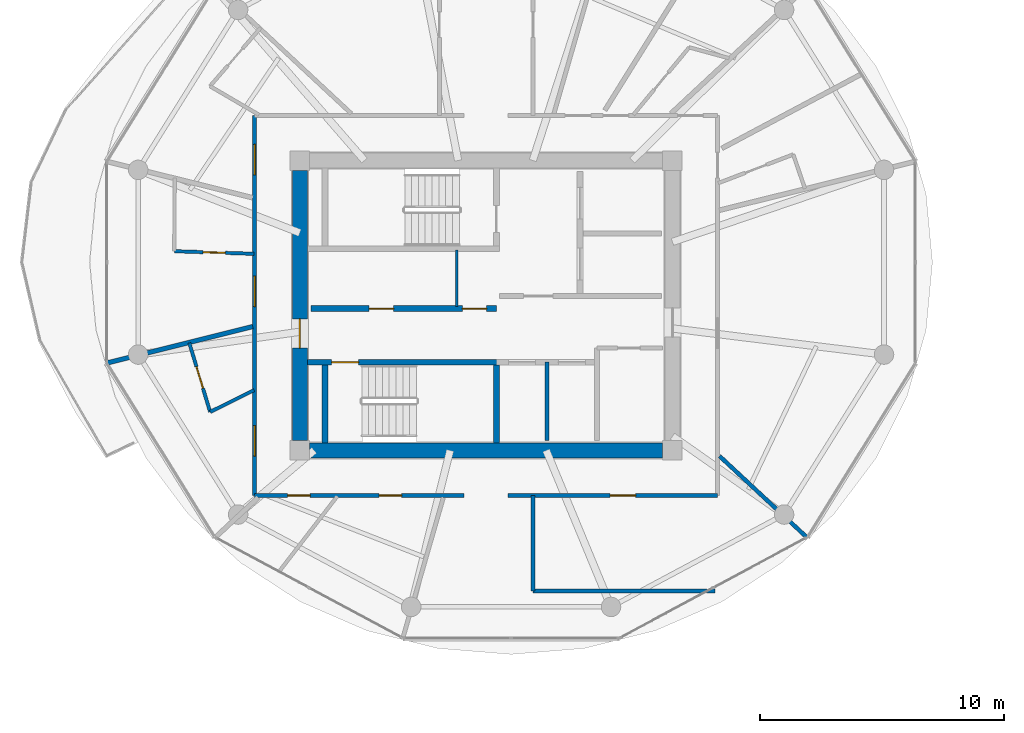
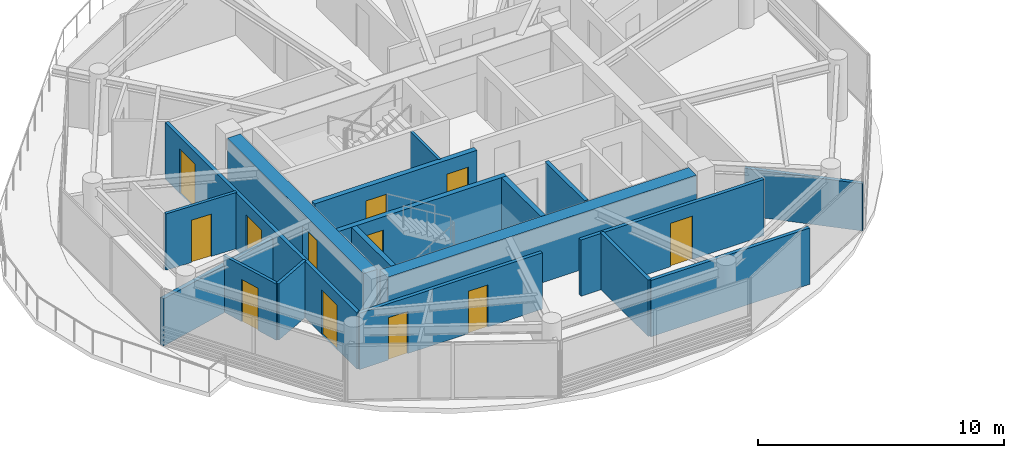
# One storey, part 13 of 24: 18 walls, 12 doors, 12 openings.
"""IFC4 building model written with IfcOpenShell, lengths in metres."""

from ifc_helpers import new_model, si_unit, direction, frame, frame_2d, origin, place, context, subcontext, project, spatial, rectangle, extrude, source, transform, mapped, material, layer, layer_set, type_object, type_shapes, element, fill, save


model = new_model("IFC4")

# Units and contexts
model_context = context("Model", 3, precision=1e-05, world=origin(), true_north=direction((0.0, 1.0)))
body_context = subcontext(model_context, "Body", "Model", "MODEL_VIEW")
ifc_project = project(units=[si_unit("LENGTHUNIT", "METRE"), si_unit("AREAUNIT", "SQUARE_METRE"), si_unit("VOLUMEUNIT", "CUBIC_METRE"), si_unit("PLANEANGLEUNIT", "RADIAN"), si_unit("MASSUNIT", "GRAM", prefix="KILO")], contexts=[model_context])

# Site, building, storey
site_placement = place(None, origin())
site = spatial("IfcSite", under=ifc_project, at=site_placement, CompositionType="ELEMENT")
building_placement = place(site_placement, origin())
building = spatial("IfcBuilding", under=site, at=building_placement, Name="Norrkilde Senior Care Towers", CompositionType="ELEMENT")
storey_placement = place(building_placement, frame((0.0, 0.0, 155.64990234375)))
storey = spatial("IfcBuildingStorey", under=building, at=storey_placement, Name="L48", CompositionType="ELEMENT", Elevation=155.64990234375)

# Wall
ifc_material_1 = material(Name="Concrete C50/60", Category="concrete")
ifc_layer_1 = layer(ifc_material_1, 0.6201171875)
ifc_layer_set_1 = layer_set([ifc_layer_1], Name="Concrete C50/60")
wall_type_1 = type_object("IfcWallType", Name="Core Shear Wall Z3 620", PredefinedType="SHEAR", material=ifc_layer_set_1)
shared_shape_1 = source(origin(), body_context, "Body", "SweptSolid", [
    extrude(rectangle(XDim=14.5, YDim=0.6201171875, at=frame_2d((7.25, 0.0))), origin(), (0.0, 0.0, 1.0), 2.81005859375),
])
wall_1_placement = place(storey_placement, frame((-20.75, -5.949951171875, 0.0), z_axis=(0.0, 0.0, 1.0), x_axis=(-1.0, 0.0, 0.0)))
element("IfcWall", 1, at=wall_1_placement, inside=storey, type_object=wall_type_1, Name="L48 Core W South Shear Wall", PredefinedType="SHEAR", context=body_context, shape_type="MappedRepresentation", body=[
    mapped(shared_shape_1, transform((0.0, 0.0, 0.0), x_axis=(1.0, 0.0, 0.0), y_axis=(0.0, 1.0, 0.0), z_axis=(0.0, 0.0, 1.0), scale=1.0)),
])

# Wall, opening, door
shared_shape_2 = source(origin(), body_context, "Body", "SweptSolid", [
    extrude(rectangle(XDim=11.10009765625, YDim=0.6201171875, at=frame_2d((5.550048828125, 0.0))), origin(), (0.0, 0.0, 1.0), 2.81005859375),
])
type_shapes(wall_type_1, [shared_shape_1, shared_shape_2])
wall_2_placement = place(storey_placement, frame((-35.64990234375, -5.550048828125, 0.0), z_axis=(0.0, 0.0, 1.0), x_axis=(0.0, 1.0, 0.0)))
wall_2 = element("IfcWall", 2, at=wall_2_placement, inside=storey, type_object=wall_type_1, Name="L48 Core W West Shear Wall", PredefinedType="SHEAR", context=body_context, shape_type="MappedRepresentation", body=[
    mapped(shared_shape_2, transform((0.0, 0.0, 0.0), x_axis=(1.0, 0.0, 0.0), y_axis=(0.0, 1.0, 0.0), z_axis=(0.0, 0.0, 1.0), scale=1.0)),
])
opening_1_placement = place(wall_2_placement, frame((3.800048828125, 0.0, 0.0)))
opening_1 = element("IfcOpeningElement", 3, at=opening_1_placement, cuts=wall_2, Name="Opening D-04", PredefinedType="OPENING", context=body_context, shape_type="SweptSolid", body=[
    extrude(rectangle(XDim=1.199951171875, YDim=2.14990234375, at=frame_2d((0.60009765625, 1.074951171875))), frame((0.0, 0.320068359375, 0.0), z_axis=(0.0, -1.0, 0.0), x_axis=(1.0, 0.0, 0.0)), (0.0, 0.0, 1.0), 0.64013671875),
])
ifc_material_2 = material(Name="Galvanised Painted Steel", Category="steel")
door_type_1 = type_object("IfcDoorType", Name="Firefighting Lobby Fire Door 1200x2150", OperationType="NOTDEFINED", PredefinedType="DOOR", material=ifc_material_2)
shared_shape_3 = source(origin(), body_context, "Body", "SweptSolid", [
    extrude(rectangle(XDim=1.199951171875, YDim=2.14990234375, at=frame_2d((0.60009765625, 1.074951171875))), frame((0.0, 0.02490234375, 0.0), z_axis=(0.0, -1.0, 0.0), x_axis=(1.0, 0.0, 0.0)), (0.0, 0.0, 1.0), 0.050048828125),
])
type_shapes(door_type_1, [shared_shape_3])
door_1_placement = place(opening_1_placement, frame((1.199951171875, 0.0, 0.0), z_axis=(0.0, 0.0, 1.0), x_axis=(-1.0, 0.0, 0.0)))
door_1 = element("IfcDoor", 4, at=door_1_placement, inside=storey, type_object=door_type_1, Name="L48 Core W West Portal Door", OperationType="SINGLE_SWING_LEFT", OverallHeight=2.14990234375, OverallWidth=1.199951171875, PredefinedType="DOOR", context=body_context, shape_type="MappedRepresentation", body=[
    mapped(shared_shape_3, transform((0.0, 0.0, 0.0), x_axis=(1.0, 0.0, 0.0), y_axis=(0.0, 1.0, 0.0), z_axis=(0.0, 0.0, 1.0), scale=1.0)),
])
fill(opening_1, door_1)

ifc_material_3 = material(Name="Concrete C45/55", Category="concrete")
ifc_layer_2 = layer(ifc_material_3, 0.239990234375)
ifc_layer_set_2 = layer_set([ifc_layer_2], Name="Concrete C45/55")
wall_type_2 = type_object("IfcWallType", Name="Shaft and Stair Enclosure Wall 240", PredefinedType="PARTITIONING", material=ifc_layer_set_2)
shared_shape_4 = source(origin(), body_context, "Body", "SweptSolid", [
    extrude(rectangle(XDim=7.880126953125, YDim=0.239990234375, at=frame_2d((3.93994140625, 0.0))), origin(), (0.0, 0.0, 1.0), 2.81005859375),
])
wall_3_placement = place(storey_placement, frame((-35.340087890625, -2.330078125, 0.0), z_axis=(0.0, 0.0, 1.0), x_axis=(1.0, 0.0, 0.0)))
wall_3 = element("IfcWall", 5, at=wall_3_placement, inside=storey, type_object=wall_type_2, Name="WL-INT-L48-W-ST2N", PredefinedType="PARTITIONING", context=body_context, shape_type="MappedRepresentation", body=[
    mapped(shared_shape_4, transform((0.0, 0.0, 0.0), x_axis=(1.0, 0.0, 0.0), y_axis=(0.0, 1.0, 0.0), z_axis=(0.0, 0.0, 1.0), scale=1.0)),
])
opening_2_placement = place(wall_3_placement, frame((1.0, 0.0, 0.0)))
opening_2 = element("IfcOpeningElement", 6, at=opening_2_placement, cuts=wall_3, Name="Opening D-03", PredefinedType="OPENING", context=body_context, shape_type="SweptSolid", body=[
    extrude(rectangle(XDim=1.10009765625, YDim=2.14990234375, at=frame_2d((0.550048828125, 1.074951171875))), frame((0.0, 0.1298828125, 0.0), z_axis=(0.0, -1.0, 0.0), x_axis=(1.0, 0.0, 0.0)), (0.0, 0.0, 1.0), 0.260009765625),
])
door_type_2 = type_object("IfcDoorType", Name="Stairwell Protected Fire Door 1100x2150", OperationType="NOTDEFINED", PredefinedType="DOOR", material=ifc_material_2)
shared_shape_5 = source(origin(), body_context, "Body", "SweptSolid", [
    extrude(rectangle(XDim=1.10009765625, YDim=2.14990234375, at=frame_2d((0.550048828125, 1.074951171875))), frame((0.0, 0.02490234375, 0.0), z_axis=(0.0, -1.0, 0.0), x_axis=(1.0, 0.0, 0.0)), (0.0, 0.0, 1.0), 0.050048828125),
])
type_shapes(door_type_2, [shared_shape_5])
door_2_placement = place(opening_2_placement, frame((1.10009765625, 0.0, 0.0), z_axis=(0.0, 0.0, 1.0), x_axis=(-1.0, 0.0, 0.0)))
door_2 = element("IfcDoor", 7, at=door_2_placement, inside=storey, type_object=door_type_2, Name="L48 Stair W2 Fire Door", OperationType="SINGLE_SWING_RIGHT", OverallHeight=2.14990234375, OverallWidth=1.10009765625, PredefinedType="DOOR", context=body_context, shape_type="MappedRepresentation", body=[
    mapped(shared_shape_5, transform((0.0, 0.0, 0.0), x_axis=(1.0, 0.0, 0.0), y_axis=(0.0, 1.0, 0.0), z_axis=(0.0, 0.0, 1.0), scale=1.0)),
])
fill(opening_2, door_2)

# Walls
shared_shape_6 = source(origin(), body_context, "Body", "SweptSolid", [
    extrude(rectangle(XDim=3.18994140625, YDim=0.239990234375, at=frame_2d((1.594970703125, 0.0))), origin(), (0.0, 0.0, 1.0), 2.81005859375),
])
type_shapes(wall_type_2, [shared_shape_4, shared_shape_6])
for number, where, z_axis, x_axis, name in (
    (8, (-34.6201171875, -5.639892578125, 0.0), (0.0, 0.0, 1.0), (0.0, 1.0, 0.0), "WL-INT-L48-W-ST2W"),
    (9, (-27.580078125, -5.639892578125, 0.0), (0.0, 0.0, 1.0), (0.0, 1.0, 0.0), "WL-INT-L48-W-ST2E"),
):
    element("IfcWall", number, at=place(storey_placement, frame(where, z_axis=z_axis, x_axis=x_axis)), inside=storey, type_object=wall_type_2, Name=name, PredefinedType="PARTITIONING", context=body_context, shape_type="MappedRepresentation", body=[
        mapped(shared_shape_6, transform((0.0, 0.0, 0.0), x_axis=(1.0, 0.0, 0.0), y_axis=(0.0, 1.0, 0.0), z_axis=(0.0, 0.0, 1.0), scale=1.0)),
    ])

# Wall, openings, doors
ifc_layer_3 = layer(ifc_material_3, 0.239990234375)
ifc_layer_set_3 = layer_set([ifc_layer_3], Name="Concrete C45/55")
wall_type_3 = type_object("IfcWallType", Name="Lift and Plant Rated Enclosure Partition 240", PredefinedType="PARTITIONING", material=ifc_layer_set_3)
shared_shape_7 = source(origin(), body_context, "Body", "SweptSolid", [
    extrude(rectangle(XDim=7.619873046875, YDim=0.239990234375, at=frame_2d((3.81005859375, 0.0))), origin(), (0.0, 0.0, 1.0), 2.795166015625),
])
type_shapes(wall_type_3, [shared_shape_7])
wall_4_placement = place(storey_placement, frame((-35.199951171875, -0.1298828125, 0.0), z_axis=(0.0, 0.0, 1.0), x_axis=(1.0, 0.0, 0.0)))
wall_4 = element("IfcWall", 10, at=wall_4_placement, inside=storey, type_object=wall_type_3, Name="WL-INT-L48-W-PKAS", PredefinedType="PARTITIONING", context=body_context, shape_type="MappedRepresentation", body=[
    mapped(shared_shape_7, transform((0.0, 0.0, 0.0), x_axis=(1.0, 0.0, 0.0), y_axis=(0.0, 1.0, 0.0), z_axis=(0.0, 0.0, 1.0), scale=1.0)),
])
opening_3_placement = place(wall_4_placement, frame((6.219970703125, 0.0, 0.0)))
opening_3 = element("IfcOpeningElement", 11, at=opening_3_placement, cuts=wall_4, Name="Opening D-10", PredefinedType="OPENING", context=body_context, shape_type="SweptSolid", body=[
    extrude(rectangle(XDim=1.0, YDim=2.10009765625, at=frame_2d((0.5, 1.050048828125))), frame((0.0, 0.1298828125, 0.0), z_axis=(0.0, -1.0, 0.0), x_axis=(1.0, 0.0, 0.0)), (0.0, 0.0, 1.0), 0.260009765625),
])
opening_4_placement = place(wall_4_placement, frame((2.39990234375, 0.0, 0.0)))
opening_4 = element("IfcOpeningElement", 12, at=opening_4_placement, cuts=wall_4, Name="Opening D-10", PredefinedType="OPENING", context=body_context, shape_type="SweptSolid", body=[
    extrude(rectangle(XDim=1.0, YDim=2.10009765625, at=frame_2d((0.5, 1.050048828125))), frame((0.0, 0.1298828125, 0.0), z_axis=(0.0, -1.0, 0.0), x_axis=(1.0, 0.0, 0.0)), (0.0, 0.0, 1.0), 0.260009765625),
])
door_type_3 = type_object("IfcDoorType", Name="Plant and Riser Rated Door 1000x2100", OperationType="NOTDEFINED", PredefinedType="DOOR", material=ifc_material_2)
shared_shape_8 = source(origin(), body_context, "Body", "SweptSolid", [
    extrude(rectangle(XDim=1.0, YDim=2.10009765625, at=frame_2d((0.5, 1.050048828125))), frame((0.0, 0.02490234375, 0.0), z_axis=(0.0, -1.0, 0.0), x_axis=(1.0, 0.0, 0.0)), (0.0, 0.0, 1.0), 0.050048828125),
])
type_shapes(door_type_3, [shared_shape_8])
door_3_placement = place(opening_3_placement, frame((1.0, 0.0, 0.0), z_axis=(0.0, 0.0, 1.0), x_axis=(-1.0, 0.0, 0.0)))
door_3 = element("IfcDoor", 13, at=door_3_placement, inside=storey, type_object=door_type_3, Name="L48 Electrical Riser W Door", OperationType="SINGLE_SWING_LEFT", OverallHeight=2.10009765625, OverallWidth=1.0, PredefinedType="DOOR", context=body_context, shape_type="MappedRepresentation", body=[
    mapped(shared_shape_8, transform((0.0, 0.0, 0.0), x_axis=(1.0, 0.0, 0.0), y_axis=(0.0, 1.0, 0.0), z_axis=(0.0, 0.0, 1.0), scale=1.0)),
])
fill(opening_3, door_3)
door_4_placement = place(opening_4_placement, frame((1.0, 0.0, 0.0), z_axis=(0.0, 0.0, 1.0), x_axis=(-1.0, 0.0, 0.0)))
door_4 = element("IfcDoor", 14, at=door_4_placement, inside=storey, type_object=door_type_3, Name="L48 Clean Supply Store W Door", OperationType="SINGLE_SWING_LEFT", OverallHeight=2.10009765625, OverallWidth=1.0, PredefinedType="DOOR", context=body_context, shape_type="MappedRepresentation", body=[
    mapped(shared_shape_8, transform((0.0, 0.0, 0.0), x_axis=(1.0, 0.0, 0.0), y_axis=(0.0, 1.0, 0.0), z_axis=(0.0, 0.0, 1.0), scale=1.0)),
])
fill(opening_4, door_4)

# Walls
ifc_material_4 = material(Name="Gypsum Acoustic Board")
ifc_layer_4 = layer(ifc_material_4, 0.114990234375)
ifc_layer_set_4 = layer_set([ifc_layer_4], Name="Gypsum Acoustic Board")
wall_type_4 = type_object("IfcWallType", Name="Internal Room Partition 115", PredefinedType="PARTITIONING", material=ifc_layer_set_4)
shared_shape_9 = source(origin(), body_context, "Body", "SweptSolid", [
    extrude(rectangle(XDim=2.330078125, YDim=0.114990234375, at=frame_2d((1.1650390625, 0.0))), origin(), (0.0, 0.0, 1.0), 2.795166015625),
])
type_shapes(wall_type_4, [shared_shape_9])
wall_5_placement = place(storey_placement, frame((-29.2099609375, -0.050048828125, 0.0), z_axis=(0.0, 0.0, 1.0), x_axis=(0.0, 1.0, 0.0)))
element("IfcWall", 15, at=wall_5_placement, inside=storey, type_object=wall_type_4, Name="WL-INT-L48-W-RISW", PredefinedType="PARTITIONING", context=body_context, shape_type="MappedRepresentation", body=[
    mapped(shared_shape_9, transform((0.0, 0.0, 0.0), x_axis=(1.0, 0.0, 0.0), y_axis=(0.0, 1.0, 0.0), z_axis=(0.0, 0.0, 1.0), scale=1.0)),
])
ifc_layer_5 = layer(ifc_material_3, 0.179931640625)
ifc_layer_set_5 = layer_set([ifc_layer_5], Name="Concrete C45/55")
wall_type_5 = type_object("IfcWallType", Name="Hoistway Division Rated Partition 180", PredefinedType="PARTITIONING", material=ifc_layer_set_5)
shared_shape_10 = source(origin(), body_context, "Body", "SweptSolid", [
    extrude(rectangle(XDim=3.219970703125, YDim=0.179931640625, at=frame_2d((1.60986328125, 0.0))), origin(), (0.0, 0.0, 1.0), 2.795166015625),
])
type_shapes(wall_type_5, [shared_shape_10])
wall_6_placement = place(storey_placement, frame((-25.5, -5.550048828125, 0.0), z_axis=(0.0, 0.0, 1.0), x_axis=(0.0, 1.0, 0.0)))
element("IfcWall", 16, at=wall_6_placement, inside=storey, type_object=wall_type_5, Name="WL-INT-L48-W-PL34", PredefinedType="PARTITIONING", context=body_context, shape_type="MappedRepresentation", body=[
    mapped(shared_shape_10, transform((0.0, 0.0, 0.0), x_axis=(1.0, 0.0, 0.0), y_axis=(0.0, 1.0, 0.0), z_axis=(0.0, 0.0, 1.0), scale=1.0)),
])

# Wall, opening, door
ifc_layer_6 = layer(ifc_material_4, 0.1650390625)
ifc_layer_set_6 = layer_set([ifc_layer_6], Name="Gypsum Acoustic Board")
wall_type_6 = type_object("IfcWallType", Name="Corridor Rated Partition 165", PredefinedType="PARTITIONING", material=ifc_layer_set_6)
shared_shape_11 = source(origin(), body_context, "Body", "SweptSolid", [
    extrude(rectangle(XDim=8.60009765625, YDim=0.1650390625, at=frame_2d((4.300048828125, 0.0))), origin(), (0.0, 0.0, 1.0), 2.795166015625),
])
wall_7_placement = place(storey_placement, frame((-18.5, -7.800048828125, 0.0), z_axis=(0.0, 0.0, 1.0), x_axis=(-1.0, 0.0, 0.0)))
wall_7 = element("IfcWall", 17, at=wall_7_placement, inside=storey, type_object=wall_type_6, Name="WL-INT-L48-W-CRW-S-0", PredefinedType="PARTITIONING", context=body_context, shape_type="MappedRepresentation", body=[
    mapped(shared_shape_11, transform((0.0, 0.0, 0.0), x_axis=(1.0, 0.0, 0.0), y_axis=(0.0, 1.0, 0.0), z_axis=(0.0, 0.0, 1.0), scale=1.0)),
])
opening_5_placement = place(wall_7_placement, frame((3.359130859375, 0.0, 0.0)))
opening_5 = element("IfcOpeningElement", 18, at=opening_5_placement, cuts=wall_7, Name="Opening D-06", PredefinedType="OPENING", context=body_context, shape_type="SweptSolid", body=[
    extrude(rectangle(XDim=1.050048828125, YDim=2.14990234375, at=frame_2d((0.52490234375, 1.074951171875))), frame((0.0, 0.092529296875, 0.0), z_axis=(0.0, -1.0, 0.0), x_axis=(1.0, 0.0, 0.0)), (0.0, 0.0, 1.0), 0.18505859375),
])
ifc_material_5 = material(Name="Nordic Ash Timber", Category="wood")
door_type_4 = type_object("IfcDoorType", Name="Apartment Entrance Fire Door 1050x2150", OperationType="NOTDEFINED", PredefinedType="DOOR", material=ifc_material_5)
shared_shape_12 = source(origin(), body_context, "Body", "SweptSolid", [
    extrude(rectangle(XDim=1.050048828125, YDim=2.14990234375, at=frame_2d((0.52490234375, 1.074951171875))), frame((0.0, 0.02490234375, 0.0), z_axis=(0.0, -1.0, 0.0), x_axis=(1.0, 0.0, 0.0)), (0.0, 0.0, 1.0), 0.050048828125),
])
type_shapes(door_type_4, [shared_shape_12])
door_5_placement = place(opening_5_placement, frame((1.050048828125, 0.0, 0.0), z_axis=(0.0, 0.0, 1.0), x_axis=(-1.0, 0.0, 0.0)))
door_5 = element("IfcDoor", 19, at=door_5_placement, inside=storey, type_object=door_type_4, Name="L48 Reading Lounge SEL Door", OperationType="SINGLE_SWING_RIGHT", OverallHeight=2.14990234375, OverallWidth=1.050048828125, PredefinedType="DOOR", context=body_context, shape_type="MappedRepresentation", body=[
    mapped(shared_shape_12, transform((0.0, 0.0, 0.0), x_axis=(1.0, 0.0, 0.0), y_axis=(0.0, 1.0, 0.0), z_axis=(0.0, 0.0, 1.0), scale=1.0)),
])
fill(opening_5, door_5)

# Wall, openings, doors
wall_8_placement = place(storey_placement, frame((-28.89990234375, -7.800048828125, 0.0), z_axis=(0.0, 0.0, 1.0), x_axis=(-1.0, 0.0, 0.0)))
wall_8 = element("IfcWall", 20, at=wall_8_placement, inside=storey, type_object=wall_type_6, Name="WL-INT-L48-W-CRW-S-1", PredefinedType="PARTITIONING", context=body_context, shape_type="MappedRepresentation", body=[
    mapped(shared_shape_11, transform((0.0, 0.0, 0.0), x_axis=(1.0, 0.0, 0.0), y_axis=(0.0, 1.0, 0.0), z_axis=(0.0, 0.0, 1.0), scale=1.0)),
])
opening_6_placement = place(wall_8_placement, frame((6.330322265625, 0.0, 0.0)))
opening_6 = element("IfcOpeningElement", 21, at=opening_6_placement, cuts=wall_8, Name="Opening D-08", PredefinedType="OPENING", context=body_context, shape_type="SweptSolid", body=[
    extrude(rectangle(XDim=0.919921875, YDim=2.10009765625, at=frame_2d((0.4599609375, 1.050048828125))), frame((0.0, 0.092529296875, 0.0), z_axis=(0.0, -1.0, 0.0), x_axis=(1.0, 0.0, 0.0)), (0.0, 0.0, 1.0), 0.18505859375),
])
opening_7_placement = place(wall_8_placement, frame((2.57470703125, 0.0, 0.0)))
opening_7 = element("IfcOpeningElement", 22, at=opening_7_placement, cuts=wall_8, Name="Opening D-08", PredefinedType="OPENING", context=body_context, shape_type="SweptSolid", body=[
    extrude(rectangle(XDim=0.919921875, YDim=2.10009765625, at=frame_2d((0.4599609375, 1.050048828125))), frame((0.0, 0.092529296875, 0.0), z_axis=(0.0, -1.0, 0.0), x_axis=(1.0, 0.0, 0.0)), (0.0, 0.0, 1.0), 0.18505859375),
])
door_type_5 = type_object("IfcDoorType", Name="Accessible Wet Room Door 920x2100", OperationType="NOTDEFINED", PredefinedType="DOOR", material=ifc_material_5)
shared_shape_13 = source(origin(), body_context, "Body", "SweptSolid", [
    extrude(rectangle(XDim=0.919921875, YDim=2.10009765625, at=frame_2d((0.4599609375, 1.050048828125))), frame((0.0, 0.02490234375, 0.0), z_axis=(0.0, -1.0, 0.0), x_axis=(1.0, 0.0, 0.0)), (0.0, 0.0, 1.0), 0.050048828125),
])
type_shapes(door_type_5, [shared_shape_13])
door_6_placement = place(opening_6_placement, frame((0.919921875, 0.0, 0.0), z_axis=(0.0, 0.0, 1.0), x_axis=(-1.0, 0.0, 0.0)))
door_6 = element("IfcDoor", 23, at=door_6_placement, inside=storey, type_object=door_type_5, Name="L48 Accessible Restroom Door", OperationType="SINGLE_SWING_RIGHT", OverallHeight=2.10009765625, OverallWidth=0.919921875, PredefinedType="DOOR", context=body_context, shape_type="MappedRepresentation", body=[
    mapped(shared_shape_13, transform((0.0, 0.0, 0.0), x_axis=(1.0, 0.0, 0.0), y_axis=(0.0, 1.0, 0.0), z_axis=(0.0, 0.0, 1.0), scale=1.0)),
])
fill(opening_6, door_6)
door_7_placement = place(opening_7_placement, frame((0.919921875, 0.0, 0.0), z_axis=(0.0, 0.0, 1.0), x_axis=(-1.0, 0.0, 0.0)))
door_7 = element("IfcDoor", 24, at=door_7_placement, inside=storey, type_object=door_type_5, Name="L48 Public Restroom Door", OperationType="SINGLE_SWING_LEFT", OverallHeight=2.10009765625, OverallWidth=0.919921875, PredefinedType="DOOR", context=body_context, shape_type="MappedRepresentation", body=[
    mapped(shared_shape_13, transform((0.0, 0.0, 0.0), x_axis=(1.0, 0.0, 0.0), y_axis=(0.0, 1.0, 0.0), z_axis=(0.0, 0.0, 1.0), scale=1.0)),
])
fill(opening_7, door_7)

shared_shape_14 = source(origin(), body_context, "Body", "SweptSolid", [
    extrude(rectangle(XDim=15.60009765625, YDim=0.1650390625, at=frame_2d((7.800048828125, 0.0))), origin(), (0.0, 0.0, 1.0), 2.795166015625),
])
wall_9_placement = place(storey_placement, frame((-37.5, -7.800048828125, 0.0), z_axis=(0.0, 0.0, 1.0), x_axis=(0.0, 1.0, 0.0)))
wall_9 = element("IfcWall", 25, at=wall_9_placement, inside=storey, type_object=wall_type_6, Name="WL-INT-L48-W-CRW-W-0", PredefinedType="PARTITIONING", context=body_context, shape_type="MappedRepresentation", body=[
    mapped(shared_shape_14, transform((0.0, 0.0, 0.0), x_axis=(1.0, 0.0, 0.0), y_axis=(0.0, 1.0, 0.0), z_axis=(0.0, 0.0, 1.0), scale=1.0)),
])
opening_8_placement = place(wall_9_placement, frame((13.160400390625, 0.0, 0.0)))
opening_8 = element("IfcOpeningElement", 26, at=opening_8_placement, cuts=wall_9, Name="Opening D-05", PredefinedType="OPENING", context=body_context, shape_type="SweptSolid", body=[
    extrude(rectangle(XDim=1.25, YDim=2.199951171875, at=frame_2d((0.625, 1.10009765625))), frame((0.0, 0.092529296875, 0.0), z_axis=(0.0, -1.0, 0.0), x_axis=(1.0, 0.0, 0.0)), (0.0, 0.0, 1.0), 0.18505859375),
])
opening_9_placement = place(wall_9_placement, frame((7.757080078125, 0.0, 0.0)))
opening_9 = element("IfcOpeningElement", 27, at=opening_9_placement, cuts=wall_9, Name="Opening D-05", PredefinedType="OPENING", context=body_context, shape_type="SweptSolid", body=[
    extrude(rectangle(XDim=1.25, YDim=2.199951171875, at=frame_2d((0.625, 1.10009765625))), frame((0.0, 0.092529296875, 0.0), z_axis=(0.0, -1.0, 0.0), x_axis=(1.0, 0.0, 0.0)), (0.0, 0.0, 1.0), 0.18505859375),
])
opening_10_placement = place(wall_9_placement, frame((1.61962890625, 0.0, 0.0)))
opening_10 = element("IfcOpeningElement", 28, at=opening_10_placement, cuts=wall_9, Name="Opening D-05", PredefinedType="OPENING", context=body_context, shape_type="SweptSolid", body=[
    extrude(rectangle(XDim=1.25, YDim=2.199951171875, at=frame_2d((0.625, 1.10009765625))), frame((0.0, 0.092529296875, 0.0), z_axis=(0.0, -1.0, 0.0), x_axis=(1.0, 0.0, 0.0)), (0.0, 0.0, 1.0), 0.18505859375),
])
door_type_6 = type_object("IfcDoorType", Name="Care Bedroom Bariatric Door 1250x2200", OperationType="NOTDEFINED", PredefinedType="DOOR", material=ifc_material_5)
shared_shape_15 = source(origin(), body_context, "Body", "SweptSolid", [
    extrude(rectangle(XDim=1.25, YDim=2.199951171875, at=frame_2d((0.625, 1.10009765625))), frame((0.0, 0.02490234375, 0.0), z_axis=(0.0, -1.0, 0.0), x_axis=(1.0, 0.0, 0.0)), (0.0, 0.0, 1.0), 0.050048828125),
])
type_shapes(door_type_6, [shared_shape_15])
door_8_placement = place(opening_8_placement, frame((1.25, 0.0, 0.0), z_axis=(0.0, 0.0, 1.0), x_axis=(-1.0, 0.0, 0.0)))
door_8 = element("IfcDoor", 29, at=door_8_placement, inside=storey, type_object=door_type_6, Name="L48 Care Suite 4804 Entrance Door", OperationType="SINGLE_SWING_LEFT", OverallHeight=2.199951171875, OverallWidth=1.25, PredefinedType="DOOR", context=body_context, shape_type="MappedRepresentation", body=[
    mapped(shared_shape_15, transform((0.0, 0.0, 0.0), x_axis=(1.0, 0.0, 0.0), y_axis=(0.0, 1.0, 0.0), z_axis=(0.0, 0.0, 1.0), scale=1.0)),
])
fill(opening_8, door_8)
door_9_placement = place(opening_9_placement, frame((1.25, 0.0, 0.0), z_axis=(0.0, 0.0, 1.0), x_axis=(-1.0, 0.0, 0.0)))
door_9 = element("IfcDoor", 30, at=door_9_placement, inside=storey, type_object=door_type_6, Name="L48 Care Suite 4805 Entrance Door", OperationType="SINGLE_SWING_RIGHT", OverallHeight=2.199951171875, OverallWidth=1.25, PredefinedType="DOOR", context=body_context, shape_type="MappedRepresentation", body=[
    mapped(shared_shape_15, transform((0.0, 0.0, 0.0), x_axis=(1.0, 0.0, 0.0), y_axis=(0.0, 1.0, 0.0), z_axis=(0.0, 0.0, 1.0), scale=1.0)),
])
fill(opening_9, door_9)
door_10_placement = place(opening_10_placement, frame((1.25, 0.0, 0.0), z_axis=(0.0, 0.0, 1.0), x_axis=(-1.0, 0.0, 0.0)))
door_10 = element("IfcDoor", 31, at=door_10_placement, inside=storey, type_object=door_type_6, Name="L48 Care Suite 4806 Entrance Door", OperationType="SINGLE_SWING_LEFT", OverallHeight=2.199951171875, OverallWidth=1.25, PredefinedType="DOOR", context=body_context, shape_type="MappedRepresentation", body=[
    mapped(shared_shape_15, transform((0.0, 0.0, 0.0), x_axis=(1.0, 0.0, 0.0), y_axis=(0.0, 1.0, 0.0), z_axis=(0.0, 0.0, 1.0), scale=1.0)),
])
fill(opening_10, door_10)

# Walls
shared_shape_16 = source(origin(), body_context, "Body", "SweptSolid", [
    extrude(rectangle(XDim=4.926513671875, YDim=0.1650390625, at=frame_2d((2.46337890625, 0.0))), origin(), (0.0, 0.0, 1.0), 2.34521484375),
])
wall_10_placement = place(storey_placement, frame((-18.419921875, -6.182861328125, 0.0), z_axis=(0.0, 0.0, 1.0), x_axis=(0.732191335987, -0.681098999783, 0.0)))
element("IfcWall", 32, at=wall_10_placement, inside=storey, type_object=wall_type_6, Name="WL-INT-L48-W-DEM-10-0", PredefinedType="PARTITIONING", context=body_context, shape_type="MappedRepresentation", body=[
    mapped(shared_shape_16, transform((0.0, 0.0, 0.0), x_axis=(1.0, 0.0, 0.0), y_axis=(0.0, 1.0, 0.0), z_axis=(0.0, 0.0, 1.0), scale=1.0)),
])
ifc_layer_7 = layer(ifc_material_4, 0.18994140625)
ifc_layer_set_7 = layer_set([ifc_layer_7], Name="Gypsum Acoustic Board")
wall_type_7 = type_object("IfcWallType", Name="Unit Demising Acoustic Wall 190", PredefinedType="PARTITIONING", material=ifc_layer_set_7)
shared_shape_17 = source(origin(), body_context, "Body", "SweptSolid", [
    extrude(rectangle(XDim=6.192626953125, YDim=0.18994140625, at=frame_2d((3.09619140625, 0.0))), origin(), (0.0, 0.0, 1.0), 2.34521484375),
])
type_shapes(wall_type_7, [shared_shape_17])
wall_11_placement = place(storey_placement, frame((-37.580078125, -0.867919921875, 0.0), z_axis=(0.0, 0.0, 1.0), x_axis=(-0.970309243466, -0.241867674657, 0.0)))
element("IfcWall", 33, at=wall_11_placement, inside=storey, type_object=wall_type_7, Name="WL-INT-L48-W-DEM-06-0", PredefinedType="PARTITIONING", context=body_context, shape_type="MappedRepresentation", body=[
    mapped(shared_shape_17, transform((0.0, 0.0, 0.0), x_axis=(1.0, 0.0, 0.0), y_axis=(0.0, 1.0, 0.0), z_axis=(0.0, 0.0, 1.0), scale=1.0)),
])
shared_shape_18 = source(origin(), body_context, "Body", "SweptSolid", [
    extrude(rectangle(XDim=3.91455078125, YDim=0.1650390625, at=frame_2d((1.957275390625, 0.0))), origin(), (0.0, 0.0, 1.0), 2.795166015625),
])
wall_12_placement = place(storey_placement, frame((-26.080078125, -11.714599609375, 0.0), z_axis=(0.0, 0.0, 1.0), x_axis=(0.0, 1.0, 0.0)))
element("IfcWall", 34, at=wall_12_placement, inside=storey, type_object=wall_type_6, Name="WL-INT-L48-W-PKW-SEL", PredefinedType="PARTITIONING", context=body_context, shape_type="MappedRepresentation", body=[
    mapped(shared_shape_18, transform((0.0, 0.0, 0.0), x_axis=(1.0, 0.0, 0.0), y_axis=(0.0, 1.0, 0.0), z_axis=(0.0, 0.0, 1.0), scale=1.0)),
])
shared_shape_19 = source(origin(), body_context, "Body", "SweptSolid", [
    extrude(rectangle(XDim=7.47314453125, YDim=0.1650390625, at=frame_2d((3.736572265625, 0.0))), origin(), (0.0, 0.0, 1.0), 2.795166015625),
])
type_shapes(wall_type_6, [shared_shape_11, shared_shape_14, shared_shape_16, shared_shape_18, shared_shape_19])
wall_13_placement = place(storey_placement, frame((-26.080078125, -11.714599609375, 0.0), z_axis=(0.0, 0.0, 1.0), x_axis=(1.0, 0.0, 0.0)))
element("IfcWall", 35, at=wall_13_placement, inside=storey, type_object=wall_type_6, Name="WL-INT-L48-W-PKH-SEL-0", PredefinedType="PARTITIONING", context=body_context, shape_type="MappedRepresentation", body=[
    mapped(shared_shape_19, transform((0.0, 0.0, 0.0), x_axis=(1.0, 0.0, 0.0), y_axis=(0.0, 1.0, 0.0), z_axis=(0.0, 0.0, 1.0), scale=1.0)),
])

# Wall, opening, door
ifc_layer_8 = layer(ifc_material_4, 0.139892578125)
ifc_layer_set_8 = layer_set([ifc_layer_8], Name="Gypsum Acoustic Board")
wall_type_8 = type_object("IfcWallType", Name="En-suite Wet Room Wall 140", PredefinedType="PARTITIONING", material=ifc_layer_set_8)
shared_shape_20 = source(origin(), body_context, "Body", "SweptSolid", [
    extrude(rectangle(XDim=3.269287109375, YDim=0.139892578125, at=frame_2d((1.634765625, 0.0))), origin(), (0.0, 0.0, 1.0), 2.795166015625),
])
wall_14_placement = place(storey_placement, frame((-37.530029296875, 2.1201171875, 0.0), z_axis=(0.0, 0.0, 1.0), x_axis=(-0.99946494589, 0.032708132569, 0.0)))
wall_14 = element("IfcWall", 36, at=wall_14_placement, inside=storey, type_object=wall_type_8, Name="WL-INT-L48-W-ES-05", PredefinedType="PARTITIONING", context=body_context, shape_type="MappedRepresentation", body=[
    mapped(shared_shape_20, transform((0.0, 0.0, 0.0), x_axis=(1.0, 0.0, 0.0), y_axis=(0.0, 1.0, 0.0), z_axis=(0.0, 0.0, 1.0), scale=1.0)),
])
opening_11_placement = place(wall_14_placement, frame((1.174560546875, 0.0, 0.0)))
opening_11 = element("IfcOpeningElement", 37, at=opening_11_placement, cuts=wall_14, Name="Opening D-08", PredefinedType="OPENING", context=body_context, shape_type="SweptSolid", body=[
    extrude(rectangle(XDim=0.919921875, YDim=2.10009765625, at=frame_2d((0.4599609375, 1.050048828125))), frame((0.0, 0.079833984375, 0.0), z_axis=(0.0, -1.0, 0.0), x_axis=(1.0, 0.0, 0.0)), (0.0, 0.0, 1.0), 0.159912109375),
])
door_11_placement = place(opening_11_placement, origin())
door_11 = element("IfcDoor", 38, at=door_11_placement, inside=storey, type_object=door_type_5, Name="L48 Care Suite 4805 Bathroom Door", OperationType="SINGLE_SWING_LEFT", OverallHeight=2.10009765625, OverallWidth=0.919921875, PredefinedType="DOOR", context=body_context, shape_type="MappedRepresentation", body=[
    mapped(shared_shape_13, transform((0.0, 0.0, 0.0), x_axis=(1.0, 0.0, 0.0), y_axis=(0.0, 1.0, 0.0), z_axis=(0.0, 0.0, 1.0), scale=1.0)),
])
fill(opening_11, door_11)

# Wall
shared_shape_21 = source(origin(), body_context, "Body", "SweptSolid", [
    extrude(rectangle(XDim=2.012939453125, YDim=0.139892578125, at=frame_2d((1.00634765625, 0.0))), origin(), (0.0, 0.0, 1.0), 2.795166015625),
])
wall_15_placement = place(storey_placement, frame((-37.530029296875, -3.4755859375, 0.0), z_axis=(0.0, 0.0, 1.0), x_axis=(-0.895347078862, -0.445369069843, 0.0)))
element("IfcWall", 39, at=wall_15_placement, inside=storey, type_object=wall_type_8, Name="WL-INT-L48-W-ES-06", PredefinedType="PARTITIONING", context=body_context, shape_type="MappedRepresentation", body=[
    mapped(shared_shape_21, transform((0.0, 0.0, 0.0), x_axis=(1.0, 0.0, 0.0), y_axis=(0.0, 1.0, 0.0), z_axis=(0.0, 0.0, 1.0), scale=1.0)),
])

# Wall, opening, door
shared_shape_22 = source(origin(), body_context, "Body", "SweptSolid", [
    extrude(rectangle(XDim=2.961181640625, YDim=0.139892578125, at=frame_2d((1.48046875, 0.0))), origin(), (0.0, 0.0, 1.0), 2.795166015625),
])
type_shapes(wall_type_8, [shared_shape_20, shared_shape_21, shared_shape_22])
wall_16_placement = place(storey_placement, frame((-39.332275390625, -4.3720703125, 0.0), z_axis=(0.0, 0.0, 1.0), x_axis=(-0.288391510046, 0.957512577951, 0.0)))
wall_16 = element("IfcWall", 40, at=wall_16_placement, inside=storey, type_object=wall_type_8, Name="WL-INT-L48-W-EF-06", PredefinedType="PARTITIONING", context=body_context, shape_type="MappedRepresentation", body=[
    mapped(shared_shape_22, transform((0.0, 0.0, 0.0), x_axis=(1.0, 0.0, 0.0), y_axis=(0.0, 1.0, 0.0), z_axis=(0.0, 0.0, 1.0), scale=1.0)),
])
opening_12_placement = place(wall_16_placement, frame((1.0205078125, 0.0, 0.0)))
opening_12 = element("IfcOpeningElement", 41, at=opening_12_placement, cuts=wall_16, Name="Opening D-08", PredefinedType="OPENING", context=body_context, shape_type="SweptSolid", body=[
    extrude(rectangle(XDim=0.919921875, YDim=2.10009765625, at=frame_2d((0.4599609375, 1.050048828125))), frame((0.0, 0.079833984375, 0.0), z_axis=(0.0, -1.0, 0.0), x_axis=(1.0, 0.0, 0.0)), (0.0, 0.0, 1.0), 0.159912109375),
])
door_12_placement = place(opening_12_placement, origin())
door_12 = element("IfcDoor", 42, at=door_12_placement, inside=storey, type_object=door_type_5, Name="L48 Care Suite 4806 Bathroom Door", OperationType="SINGLE_SWING_RIGHT", OverallHeight=2.10009765625, OverallWidth=0.919921875, PredefinedType="DOOR", context=body_context, shape_type="MappedRepresentation", body=[
    mapped(shared_shape_13, transform((0.0, 0.0, 0.0), x_axis=(1.0, 0.0, 0.0), y_axis=(0.0, 1.0, 0.0), z_axis=(0.0, 0.0, 1.0), scale=1.0)),
])
fill(opening_12, door_12)

save(model, "model.ifc")
